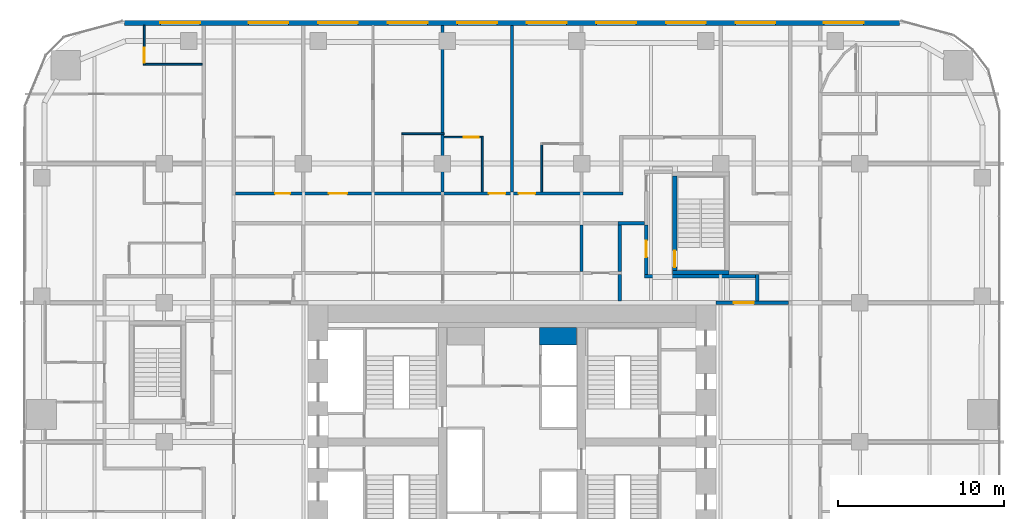
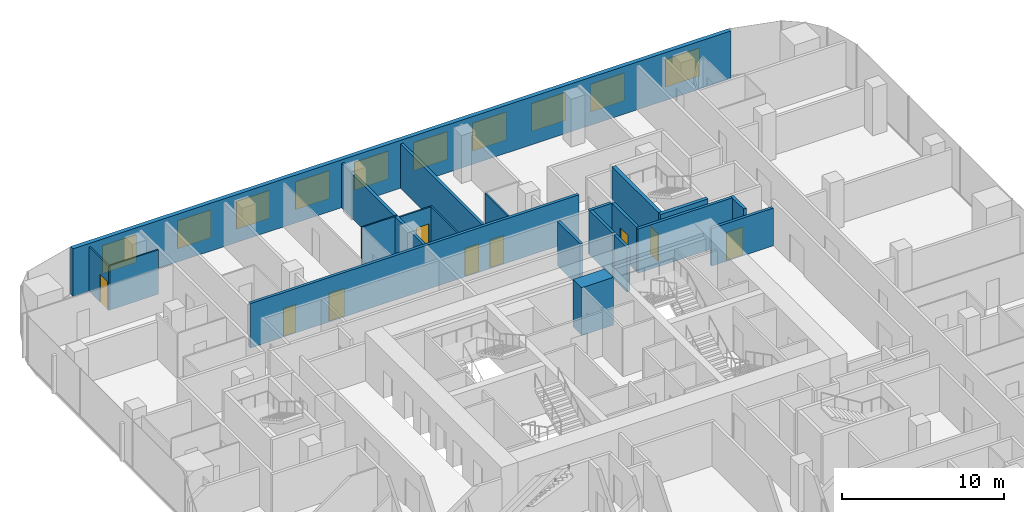
# One storey, part 23 of 27: 21 walls, 10 windows, 9 doors, 19 openings.
"""IFC4 building model written with IfcOpenShell, lengths in metres."""

from ifc_helpers import new_model, si_unit, direction, frame, frame_2d, origin, place, context, subcontext, project, spatial, rectangle, extrude, material, layer, layer_set, type_object, element, fill, save


model = new_model("IFC4")

# Units and contexts
model_context = context("Model", 3, precision=1e-05, world=origin(), true_north=direction((0.0, 1.0)))
body_context = subcontext(model_context, "Body", "Model", "MODEL_VIEW")
ifc_project = project(units=[si_unit("LENGTHUNIT", "METRE"), si_unit("AREAUNIT", "SQUARE_METRE"), si_unit("VOLUMEUNIT", "CUBIC_METRE"), si_unit("PLANEANGLEUNIT", "RADIAN"), si_unit("MASSUNIT", "GRAM", prefix="KILO")], contexts=[model_context])

# Site, building, storey
site_placement = place(None, origin())
site = spatial("IfcSite", under=ifc_project, at=site_placement, CompositionType="ELEMENT")
building_placement = place(site_placement, origin())
building = spatial("IfcBuilding", under=site, at=building_placement, Name="Marenta Gate Hotel Tower", CompositionType="ELEMENT")
storey_placement = place(building_placement, frame((0.0, 0.0, 36.5)))
storey = spatial("IfcBuildingStorey", under=building, at=storey_placement, Name="L06", CompositionType="ELEMENT", Elevation=36.5)

# Wall, openings, windows
ifc_material_1 = material(Name="Concrete C40 board-marked", Category="concrete")
ifc_layer_1 = layer(ifc_material_1, 0.300048828125)
ifc_layer_set_1 = layer_set([ifc_layer_1], Name="Concrete C40 board-marked")
wall_type_1 = type_object("IfcWallType", Name="Board-marked concrete wall 300 mm", PredefinedType="NOTDEFINED", material=ifc_layer_set_1)
wall_1_placement = place(storey_placement, frame((23.406005859375, 33.68994140625, 0.0), z_axis=(0.0, 0.0, 1.0), x_axis=(-1.0, 0.0, 0.0)))
wall_1 = element("IfcWall", 1, at=wall_1_placement, inside=storey, type_object=wall_type_1, Name="L06-CLD-N00", PredefinedType="NOTDEFINED", context=body_context, shape_type="SweptSolid", body=[
    extrude(rectangle(XDim=46.81201171875, YDim=0.300048828125, at=frame_2d((23.406005859375, 0.0))), origin(), (0.0, 0.0, 1.0), 3.60009765625),
])
opening_1_placement = place(wall_1_placement, frame((2.185791015625, 0.0, 0.89990234375)))
opening_1 = element("IfcOpeningElement", 2, at=opening_1_placement, cuts=wall_1, Name="Opening W1", PredefinedType="OPENING", context=body_context, shape_type="SweptSolid", body=[
    extrude(rectangle(XDim=2.39990234375, YDim=2.10009765625, at=frame_2d((1.199951171875, 1.050048828125))), frame((0.0, 0.14990234375, 0.0), z_axis=(0.0, -1.0, 0.0), x_axis=(1.0, 0.0, 0.0)), (0.0, 0.0, 1.0), 0.300048828125),
])
opening_2_placement = place(wall_1_placement, frame((7.505859375, 0.0, 0.89990234375)))
opening_2 = element("IfcOpeningElement", 3, at=opening_2_placement, cuts=wall_1, Name="Opening W1", PredefinedType="OPENING", context=body_context, shape_type="SweptSolid", body=[
    extrude(rectangle(XDim=2.39990234375, YDim=2.10009765625, at=frame_2d((1.199951171875, 1.050048828125))), frame((0.0, 0.14990234375, 0.0), z_axis=(0.0, -1.0, 0.0), x_axis=(1.0, 0.0, 0.0)), (0.0, 0.0, 1.0), 0.300048828125),
])
opening_3_placement = place(wall_1_placement, frame((11.705810546875, 0.0, 0.89990234375)))
opening_3 = element("IfcOpeningElement", 4, at=opening_3_placement, cuts=wall_1, Name="Opening W1", PredefinedType="OPENING", context=body_context, shape_type="SweptSolid", body=[
    extrude(rectangle(XDim=2.39990234375, YDim=2.10009765625, at=frame_2d((1.199951171875, 1.050048828125))), frame((0.0, 0.14990234375, 0.0), z_axis=(0.0, -1.0, 0.0), x_axis=(1.0, 0.0, 0.0)), (0.0, 0.0, 1.0), 0.300048828125),
])
opening_4_placement = place(wall_1_placement, frame((15.906005859375, 0.0, 0.89990234375)))
opening_4 = element("IfcOpeningElement", 5, at=opening_4_placement, cuts=wall_1, Name="Opening W1", PredefinedType="OPENING", context=body_context, shape_type="SweptSolid", body=[
    extrude(rectangle(XDim=2.39990234375, YDim=2.10009765625, at=frame_2d((1.199951171875, 1.050048828125))), frame((0.0, 0.14990234375, 0.0), z_axis=(0.0, -1.0, 0.0), x_axis=(1.0, 0.0, 0.0)), (0.0, 0.0, 1.0), 0.300048828125),
])
opening_5_placement = place(wall_1_placement, frame((20.10595703125, 0.0, 0.89990234375)))
opening_5 = element("IfcOpeningElement", 6, at=opening_5_placement, cuts=wall_1, Name="Opening W1", PredefinedType="OPENING", context=body_context, shape_type="SweptSolid", body=[
    extrude(rectangle(XDim=2.39990234375, YDim=2.10009765625, at=frame_2d((1.199951171875, 1.050048828125))), frame((0.0, 0.14990234375, 0.0), z_axis=(0.0, -1.0, 0.0), x_axis=(1.0, 0.0, 0.0)), (0.0, 0.0, 1.0), 0.300048828125),
])
opening_6_placement = place(wall_1_placement, frame((24.305908203125, 0.0, 0.89990234375)))
opening_6 = element("IfcOpeningElement", 7, at=opening_6_placement, cuts=wall_1, Name="Opening W1", PredefinedType="OPENING", context=body_context, shape_type="SweptSolid", body=[
    extrude(rectangle(XDim=2.39990234375, YDim=2.10009765625, at=frame_2d((1.199951171875, 1.050048828125))), frame((0.0, 0.14990234375, 0.0), z_axis=(0.0, -1.0, 0.0), x_axis=(1.0, 0.0, 0.0)), (0.0, 0.0, 1.0), 0.300048828125),
])
opening_7_placement = place(wall_1_placement, frame((28.505859375, 0.0, 0.89990234375)))
opening_7 = element("IfcOpeningElement", 8, at=opening_7_placement, cuts=wall_1, Name="Opening W1", PredefinedType="OPENING", context=body_context, shape_type="SweptSolid", body=[
    extrude(rectangle(XDim=2.39990234375, YDim=2.10009765625, at=frame_2d((1.199951171875, 1.050048828125))), frame((0.0, 0.14990234375, 0.0), z_axis=(0.0, -1.0, 0.0), x_axis=(1.0, 0.0, 0.0)), (0.0, 0.0, 1.0), 0.300048828125),
])
opening_8_placement = place(wall_1_placement, frame((32.705810546875, 0.0, 0.89990234375)))
opening_8 = element("IfcOpeningElement", 9, at=opening_8_placement, cuts=wall_1, Name="Opening W1", PredefinedType="OPENING", context=body_context, shape_type="SweptSolid", body=[
    extrude(rectangle(XDim=2.39990234375, YDim=2.10009765625, at=frame_2d((1.199951171875, 1.050048828125))), frame((0.0, 0.14990234375, 0.0), z_axis=(0.0, -1.0, 0.0), x_axis=(1.0, 0.0, 0.0)), (0.0, 0.0, 1.0), 0.300048828125),
])
opening_9_placement = place(wall_1_placement, frame((36.906005859375, 0.0, 0.89990234375)))
opening_9 = element("IfcOpeningElement", 10, at=opening_9_placement, cuts=wall_1, Name="Opening W1", PredefinedType="OPENING", context=body_context, shape_type="SweptSolid", body=[
    extrude(rectangle(XDim=2.39990234375, YDim=2.10009765625, at=frame_2d((1.199951171875, 1.050048828125))), frame((0.0, 0.14990234375, 0.0), z_axis=(0.0, -1.0, 0.0), x_axis=(1.0, 0.0, 0.0)), (0.0, 0.0, 1.0), 0.300048828125),
])
opening_10_placement = place(wall_1_placement, frame((42.225830078125, 0.0, 0.89990234375)))
opening_10 = element("IfcOpeningElement", 11, at=opening_10_placement, cuts=wall_1, Name="Opening W1", PredefinedType="OPENING", context=body_context, shape_type="SweptSolid", body=[
    extrude(rectangle(XDim=2.39990234375, YDim=2.10009765625, at=frame_2d((1.199951171875, 1.050048828125))), frame((0.0, 0.14990234375, 0.0), z_axis=(0.0, -1.0, 0.0), x_axis=(1.0, 0.0, 0.0)), (0.0, 0.0, 1.0), 0.300048828125),
])
ifc_material_2 = material(Name="Tinted insulated glass in bronze anodised frame", Category="glass")
window_type = type_object("IfcWindowType", Name="Window W1 2400x2100 bronze frame", PartitioningType="SINGLE_PANEL", PredefinedType="WINDOW", material=ifc_material_2)
window_1_placement = place(opening_1_placement, origin())
window_1 = element("IfcWindow", 12, at=window_1_placement, inside=storey, type_object=window_type, Name="Window W1", OverallHeight=2.10009765625, OverallWidth=2.39990234375, PartitioningType="SINGLE_PANEL", PredefinedType="WINDOW", context=body_context, shape_type="SweptSolid", body=[
    extrude(rectangle(XDim=2.39990234375, YDim=2.10009765625, at=frame_2d((1.199951171875, 1.050048828125))), frame((0.0, 0.030029296875, 0.0), z_axis=(0.0, -1.0, 0.0), x_axis=(1.0, 0.0, 0.0)), (0.0, 0.0, 1.0), 0.06005859375),
])
fill(opening_1, window_1)
window_2_placement = place(opening_2_placement, origin())
window_2 = element("IfcWindow", 13, at=window_2_placement, inside=storey, type_object=window_type, Name="Window W1", OverallHeight=2.10009765625, OverallWidth=2.39990234375, PartitioningType="SINGLE_PANEL", PredefinedType="WINDOW", context=body_context, shape_type="SweptSolid", body=[
    extrude(rectangle(XDim=2.39990234375, YDim=2.10009765625, at=frame_2d((1.199951171875, 1.050048828125))), frame((0.0, 0.030029296875, 0.0), z_axis=(0.0, -1.0, 0.0), x_axis=(1.0, 0.0, 0.0)), (0.0, 0.0, 1.0), 0.06005859375),
])
fill(opening_2, window_2)
window_3_placement = place(opening_3_placement, origin())
window_3 = element("IfcWindow", 14, at=window_3_placement, inside=storey, type_object=window_type, Name="Window W1", OverallHeight=2.10009765625, OverallWidth=2.39990234375, PartitioningType="SINGLE_PANEL", PredefinedType="WINDOW", context=body_context, shape_type="SweptSolid", body=[
    extrude(rectangle(XDim=2.39990234375, YDim=2.10009765625, at=frame_2d((1.199951171875, 1.050048828125))), frame((0.0, 0.030029296875, 0.0), z_axis=(0.0, -1.0, 0.0), x_axis=(1.0, 0.0, 0.0)), (0.0, 0.0, 1.0), 0.06005859375),
])
fill(opening_3, window_3)
window_4_placement = place(opening_4_placement, origin())
window_4 = element("IfcWindow", 15, at=window_4_placement, inside=storey, type_object=window_type, Name="Window W1", OverallHeight=2.10009765625, OverallWidth=2.39990234375, PartitioningType="SINGLE_PANEL", PredefinedType="WINDOW", context=body_context, shape_type="SweptSolid", body=[
    extrude(rectangle(XDim=2.39990234375, YDim=2.10009765625, at=frame_2d((1.199951171875, 1.050048828125))), frame((0.0, 0.030029296875, 0.0), z_axis=(0.0, -1.0, 0.0), x_axis=(1.0, 0.0, 0.0)), (0.0, 0.0, 1.0), 0.06005859375),
])
fill(opening_4, window_4)
window_5_placement = place(opening_5_placement, origin())
window_5 = element("IfcWindow", 16, at=window_5_placement, inside=storey, type_object=window_type, Name="Window W1", OverallHeight=2.10009765625, OverallWidth=2.39990234375, PartitioningType="SINGLE_PANEL", PredefinedType="WINDOW", context=body_context, shape_type="SweptSolid", body=[
    extrude(rectangle(XDim=2.39990234375, YDim=2.10009765625, at=frame_2d((1.199951171875, 1.050048828125))), frame((0.0, 0.030029296875, 0.0), z_axis=(0.0, -1.0, 0.0), x_axis=(1.0, 0.0, 0.0)), (0.0, 0.0, 1.0), 0.06005859375),
])
fill(opening_5, window_5)
window_6_placement = place(opening_6_placement, origin())
window_6 = element("IfcWindow", 17, at=window_6_placement, inside=storey, type_object=window_type, Name="Window W1", OverallHeight=2.10009765625, OverallWidth=2.39990234375, PartitioningType="SINGLE_PANEL", PredefinedType="WINDOW", context=body_context, shape_type="SweptSolid", body=[
    extrude(rectangle(XDim=2.39990234375, YDim=2.10009765625, at=frame_2d((1.199951171875, 1.050048828125))), frame((0.0, 0.030029296875, 0.0), z_axis=(0.0, -1.0, 0.0), x_axis=(1.0, 0.0, 0.0)), (0.0, 0.0, 1.0), 0.06005859375),
])
fill(opening_6, window_6)
window_7_placement = place(opening_7_placement, origin())
window_7 = element("IfcWindow", 18, at=window_7_placement, inside=storey, type_object=window_type, Name="Window W1", OverallHeight=2.10009765625, OverallWidth=2.39990234375, PartitioningType="SINGLE_PANEL", PredefinedType="WINDOW", context=body_context, shape_type="SweptSolid", body=[
    extrude(rectangle(XDim=2.39990234375, YDim=2.10009765625, at=frame_2d((1.199951171875, 1.050048828125))), frame((0.0, 0.030029296875, 0.0), z_axis=(0.0, -1.0, 0.0), x_axis=(1.0, 0.0, 0.0)), (0.0, 0.0, 1.0), 0.06005859375),
])
fill(opening_7, window_7)
window_8_placement = place(opening_8_placement, origin())
window_8 = element("IfcWindow", 19, at=window_8_placement, inside=storey, type_object=window_type, Name="Window W1", OverallHeight=2.10009765625, OverallWidth=2.39990234375, PartitioningType="SINGLE_PANEL", PredefinedType="WINDOW", context=body_context, shape_type="SweptSolid", body=[
    extrude(rectangle(XDim=2.39990234375, YDim=2.10009765625, at=frame_2d((1.199951171875, 1.050048828125))), frame((0.0, 0.030029296875, 0.0), z_axis=(0.0, -1.0, 0.0), x_axis=(1.0, 0.0, 0.0)), (0.0, 0.0, 1.0), 0.06005859375),
])
fill(opening_8, window_8)
window_9_placement = place(opening_9_placement, origin())
window_9 = element("IfcWindow", 20, at=window_9_placement, inside=storey, type_object=window_type, Name="Window W1", OverallHeight=2.10009765625, OverallWidth=2.39990234375, PartitioningType="SINGLE_PANEL", PredefinedType="WINDOW", context=body_context, shape_type="SweptSolid", body=[
    extrude(rectangle(XDim=2.39990234375, YDim=2.10009765625, at=frame_2d((1.199951171875, 1.050048828125))), frame((0.0, 0.030029296875, 0.0), z_axis=(0.0, -1.0, 0.0), x_axis=(1.0, 0.0, 0.0)), (0.0, 0.0, 1.0), 0.06005859375),
])
fill(opening_9, window_9)
window_10_placement = place(opening_10_placement, origin())
window_10 = element("IfcWindow", 21, at=window_10_placement, inside=storey, type_object=window_type, Name="Window W1", OverallHeight=2.10009765625, OverallWidth=2.39990234375, PartitioningType="SINGLE_PANEL", PredefinedType="WINDOW", context=body_context, shape_type="SweptSolid", body=[
    extrude(rectangle(XDim=2.39990234375, YDim=2.10009765625, at=frame_2d((1.199951171875, 1.050048828125))), frame((0.0, 0.030029296875, 0.0), z_axis=(0.0, -1.0, 0.0), x_axis=(1.0, 0.0, 0.0)), (0.0, 0.0, 1.0), 0.06005859375),
])
fill(opening_10, window_10)

# Wall
ifc_material_3 = material(Name="Concrete blockwork", Category="masonry")
ifc_layer_2 = layer(ifc_material_3, 0.199951171875)
ifc_layer_set_2 = layer_set([ifc_layer_2], Name="Concrete blockwork")
wall_type_2 = type_object("IfcWallType", Name="Compartment wall 200 REI 180", PredefinedType="PARTITIONING", material=ifc_layer_set_2)
wall_2_placement = place(storey_placement, frame((-4.199951171875, 23.5, 0.0), z_axis=(0.0, 0.0, 1.0), x_axis=(0.0, 1.0, 0.0)))
element("IfcWall", 22, at=wall_2_placement, inside=storey, type_object=wall_type_2, Name="L06-PTN-W088", PredefinedType="PARTITIONING", context=body_context, shape_type="SweptSolid", body=[
    extrude(rectangle(XDim=10.0400390625, YDim=0.199951171875, at=frame_2d((5.02001953125, 0.0))), origin(), (0.0, 0.0, 1.0), 3.340087890625),
])

# Wall, opening, door
ifc_material_4 = material(Name="Concrete blockwork", Category="masonry")
ifc_layer_3 = layer(ifc_material_4, 0.199951171875)
ifc_layer_set_3 = layer_set([ifc_layer_3], Name="Concrete blockwork")
wall_type_3 = type_object("IfcWallType", Name="Core boundary wall 200 REI 180", PredefinedType="PARTITIONING", material=ifc_layer_set_3)
wall_3_placement = place(storey_placement, frame((12.300048828125, 16.800048828125, 0.0), z_axis=(0.0, 0.0, 1.0), x_axis=(1.0, 0.0, 0.0)))
wall_3 = element("IfcWall", 23, at=wall_3_placement, inside=storey, type_object=wall_type_3, Name="L06-CP-EW-EN", PredefinedType="PARTITIONING", context=body_context, shape_type="SweptSolid", body=[
    extrude(rectangle(XDim=4.39990234375, YDim=0.199951171875, at=frame_2d((2.199951171875, 0.0))), origin(), (0.0, 0.0, 1.0), 2.840087890625),
])
opening_11_placement = place(wall_3_placement, frame((1.10009765625, 0.0, 0.0)))
opening_11 = element("IfcOpeningElement", 24, at=opening_11_placement, cuts=wall_3, Name="Opening RS-Z1-4", PredefinedType="OPENING", context=body_context, shape_type="SweptSolid", body=[
    extrude(rectangle(XDim=1.199951171875, YDim=2.10009765625, at=frame_2d((0.60009765625, 1.050048828125))), frame((0.0, 0.10009765625, 0.0), z_axis=(0.0, -1.0, 0.0), x_axis=(1.0, 0.0, 0.0)), (0.0, 0.0, 1.0), 0.199951171875),
])
ifc_material_5 = material(Name="Steel", Category="steel")
door_type_1 = type_object("IfcDoorType", Name="Core lobby door 1200x2100 EI 60", OperationType="SINGLE_SWING_LEFT", PredefinedType="DOOR", material=ifc_material_5)
door_1_placement = place(opening_11_placement, origin())
door_1 = element("IfcDoor", 25, at=door_1_placement, inside=storey, type_object=door_type_1, Name="RS-Z1-4", OperationType="SINGLE_SWING_LEFT", OverallHeight=2.10009765625, OverallWidth=1.199951171875, PredefinedType="DOOR", context=body_context, shape_type="SweptSolid", body=[
    extrude(rectangle(XDim=1.199951171875, YDim=2.10009765625, at=frame_2d((0.60009765625, 1.050048828125))), frame((0.0, 0.02490234375, 0.0), z_axis=(0.0, -1.0, 0.0), x_axis=(1.0, 0.0, 0.0)), (0.0, 0.0, 1.0), 0.050048828125),
])
fill(opening_11, door_1)

# Walls
ifc_material_6 = material(Name="Concrete C40", Category="concrete")
ifc_layer_4 = layer(ifc_material_6, 1.050048828125)
ifc_layer_set_4 = layer_set([ifc_layer_4], Name="Concrete C40")
wall_type_4 = type_object("IfcWallType", Name="Core shaft wall 1050 REI 180", PredefinedType="SHEAR", material=ifc_layer_set_4)
wall_4_placement = place(storey_placement, frame((1.64990234375, 14.77490234375, 0.0), z_axis=(0.0, 0.0, 1.0), x_axis=(1.0, 0.0, 0.0)))
element("IfcWall", 26, at=wall_4_placement, inside=storey, type_object=wall_type_4, Name="L06-SHF-CE-N-top", PredefinedType="SHEAR", context=body_context, shape_type="SweptSolid", body=[
    extrude(rectangle(XDim=2.25, YDim=1.050048828125, at=frame_2d((1.125, 0.0))), origin(), (0.0, 0.0, 1.0), 3.60009765625),
])
ifc_material_7 = material(Name="Concrete C40", Category="concrete")
ifc_layer_5 = layer(ifc_material_7, 0.25)
ifc_layer_set_5 = layer_set([ifc_layer_5], Name="Concrete C40")
wall_type_5 = type_object("IfcWallType", Name="Remote stair enclosure wall 250 REI 180", PredefinedType="SHEAR", material=ifc_layer_set_5)
wall_5_placement = place(storey_placement, frame((9.699951171875, 18.625, -0.14990234375), z_axis=(0.0, 0.0, 1.0), x_axis=(1.0, 0.0, 0.0)))
element("IfcWall", 27, at=wall_5_placement, inside=storey, type_object=wall_type_5, Name="L06-RS-Z1-4-W1", PredefinedType="SHEAR", context=body_context, shape_type="SweptSolid", body=[
    extrude(rectangle(XDim=3.400146484375, YDim=0.25, at=frame_2d((1.7001953125, 0.0))), origin(), (0.0, 0.0, 1.0), 3.849853515625),
])

# Wall, opening, door
wall_6_placement = place(storey_placement, frame((9.824951171875, 18.75, -0.14990234375), z_axis=(0.0, 0.0, 1.0), x_axis=(0.0, 1.0, 0.0)))
wall_6 = element("IfcWall", 28, at=wall_6_placement, inside=storey, type_object=wall_type_5, Name="L06-RS-Z1-4-W3", PredefinedType="SHEAR", context=body_context, shape_type="SweptSolid", body=[
    extrude(rectangle(XDim=5.699951171875, YDim=0.25, at=frame_2d((2.85009765625, 0.0))), origin(), (0.0, 0.0, 1.0), 3.849853515625),
])
opening_12_placement = place(wall_6_placement, frame((0.199951171875, 0.0, 0.0)))
opening_12 = element("IfcOpeningElement", 29, at=opening_12_placement, cuts=wall_6, Name="Opening VD", PredefinedType="OPENING", context=body_context, shape_type="SweptSolid", body=[
    extrude(rectangle(XDim=1.0, YDim=2.10009765625, at=frame_2d((0.5, 1.050048828125))), frame((0.0, 0.125, 0.0), z_axis=(0.0, -1.0, 0.0), x_axis=(1.0, 0.0, 0.0)), (0.0, 0.0, 1.0), 0.25),
])
ifc_material_8 = material(Name="Steel", Category="steel")
door_type_2 = type_object("IfcDoorType", Name="Stair vestibule door 1000x2100 FD60", OperationType="SINGLE_SWING_LEFT", PredefinedType="DOOR", material=ifc_material_8)
door_2_placement = place(opening_12_placement, origin())
door_2 = element("IfcDoor", 30, at=door_2_placement, inside=storey, type_object=door_type_2, Name="VD", OperationType="SINGLE_SWING_LEFT", OverallHeight=2.10009765625, OverallWidth=1.0, PredefinedType="DOOR", context=body_context, shape_type="SweptSolid", body=[
    extrude(rectangle(XDim=1.0, YDim=2.10009765625, at=frame_2d((0.5, 1.050048828125))), frame((0.0, 0.02490234375, 0.0), z_axis=(0.0, -1.0, 0.0), x_axis=(1.0, 0.0, 0.0)), (0.0, 0.0, 1.0), 0.050048828125),
])
fill(opening_12, door_2)

# Wall, openings, doors
ifc_material_9 = material(Name="Concrete blockwork", Category="masonry")
ifc_layer_6 = layer(ifc_material_9, 0.199951171875)
ifc_layer_set_6 = layer_set([ifc_layer_6], Name="Concrete blockwork")
wall_type_6 = type_object("IfcWallType", Name="Room corridor wall 200 EI 120", PredefinedType="PARTITIONING", material=ifc_layer_set_6)
wall_7_placement = place(storey_placement, frame((-16.699951171875, 23.39990234375, 0.0), z_axis=(0.0, 0.0, 1.0), x_axis=(1.0, 0.0, 0.0)))
wall_7 = element("IfcWall", 31, at=wall_7_placement, inside=storey, type_object=wall_type_6, Name="L06-PTN-W145", PredefinedType="PARTITIONING", context=body_context, shape_type="SweptSolid", body=[
    extrude(rectangle(XDim=23.39990234375, YDim=0.199951171875, at=frame_2d((11.699951171875, 0.0))), origin(), (0.0, 0.0, 1.0), 3.340087890625),
])
opening_13_placement = place(wall_7_placement, frame((2.39990234375, 0.0, 0.0)))
opening_13 = element("IfcOpeningElement", 32, at=opening_13_placement, cuts=wall_7, Name="Opening G01-25", PredefinedType="OPENING", context=body_context, shape_type="SweptSolid", body=[
    extrude(rectangle(XDim=0.89990234375, YDim=2.10009765625, at=frame_2d((0.449951171875, 1.050048828125))), frame((0.0, 0.10009765625, 0.0), z_axis=(0.0, -1.0, 0.0), x_axis=(1.0, 0.0, 0.0)), (0.0, 0.0, 1.0), 0.199951171875),
])
opening_14_placement = place(wall_7_placement, frame((5.64990234375, 0.0, 0.0)))
opening_14 = element("IfcOpeningElement", 33, at=opening_14_placement, cuts=wall_7, Name="Opening G01-27", PredefinedType="OPENING", context=body_context, shape_type="SweptSolid", body=[
    extrude(rectangle(XDim=1.10009765625, YDim=2.10009765625, at=frame_2d((0.550048828125, 1.050048828125))), frame((0.0, 0.10009765625, 0.0), z_axis=(0.0, -1.0, 0.0), x_axis=(1.0, 0.0, 0.0)), (0.0, 0.0, 1.0), 0.199951171875),
])
opening_15_placement = place(wall_7_placement, frame((15.300048828125, 0.0, 0.0)))
opening_15 = element("IfcOpeningElement", 34, at=opening_15_placement, cuts=wall_7, Name="Opening G01-30", PredefinedType="OPENING", context=body_context, shape_type="SweptSolid", body=[
    extrude(rectangle(XDim=1.0, YDim=2.10009765625, at=frame_2d((0.5, 1.050048828125))), frame((0.0, 0.10009765625, 0.0), z_axis=(0.0, -1.0, 0.0), x_axis=(1.0, 0.0, 0.0)), (0.0, 0.0, 1.0), 0.199951171875),
])
opening_16_placement = place(wall_7_placement, frame((17.10009765625, 0.0, 0.0)))
opening_16 = element("IfcOpeningElement", 35, at=opening_16_placement, cuts=wall_7, Name="Opening G01-32", PredefinedType="OPENING", context=body_context, shape_type="SweptSolid", body=[
    extrude(rectangle(XDim=1.0, YDim=2.10009765625, at=frame_2d((0.5, 1.050048828125))), frame((0.0, 0.10009765625, 0.0), z_axis=(0.0, -1.0, 0.0), x_axis=(1.0, 0.0, 0.0)), (0.0, 0.0, 1.0), 0.199951171875),
])
ifc_material_10 = material(Name="Timber door leaf", Category="wood")
door_type_3 = type_object("IfcDoorType", Name="Guest room door 1000x2100 EI 60", OperationType="NOTDEFINED", PredefinedType="DOOR", material=ifc_material_10)
door_3_placement = place(opening_15_placement, origin())
door_3 = element("IfcDoor", 36, at=door_3_placement, inside=storey, type_object=door_type_3, Name="L06-PD-D030", OperationType="SINGLE_SWING_LEFT", OverallHeight=2.10009765625, OverallWidth=1.0, PredefinedType="DOOR", context=body_context, shape_type="SweptSolid", body=[
    extrude(rectangle(XDim=1.0, YDim=2.10009765625, at=frame_2d((0.5, 1.050048828125))), frame((0.0, 0.02490234375, 0.0), z_axis=(0.0, -1.0, 0.0), x_axis=(1.0, 0.0, 0.0)), (0.0, 0.0, 1.0), 0.050048828125),
])
fill(opening_15, door_3)
door_4_placement = place(opening_16_placement, origin())
door_4 = element("IfcDoor", 37, at=door_4_placement, inside=storey, type_object=door_type_3, Name="L06-PD-D032", OperationType="SINGLE_SWING_LEFT", OverallHeight=2.10009765625, OverallWidth=1.0, PredefinedType="DOOR", context=body_context, shape_type="SweptSolid", body=[
    extrude(rectangle(XDim=1.0, YDim=2.10009765625, at=frame_2d((0.5, 1.050048828125))), frame((0.0, 0.02490234375, 0.0), z_axis=(0.0, -1.0, 0.0), x_axis=(1.0, 0.0, 0.0)), (0.0, 0.0, 1.0), 0.050048828125),
])
fill(opening_16, door_4)
ifc_material_11 = material(Name="Timber door leaf", Category="wood")
door_type_4 = type_object("IfcDoorType", Name="Guest room door 1100x2100 EI 60", OperationType="NOTDEFINED", PredefinedType="DOOR", material=ifc_material_11)
door_5_placement = place(opening_14_placement, origin())
door_5 = element("IfcDoor", 38, at=door_5_placement, inside=storey, type_object=door_type_4, Name="L06-PD-D027", OperationType="SINGLE_SWING_RIGHT", OverallHeight=2.10009765625, OverallWidth=1.10009765625, PredefinedType="DOOR", context=body_context, shape_type="SweptSolid", body=[
    extrude(rectangle(XDim=1.10009765625, YDim=2.10009765625, at=frame_2d((0.550048828125, 1.050048828125))), frame((0.0, 0.02490234375, 0.0), z_axis=(0.0, -1.0, 0.0), x_axis=(1.0, 0.0, 0.0)), (0.0, 0.0, 1.0), 0.050048828125),
])
fill(opening_14, door_5)
ifc_material_12 = material(Name="Timber door leaf", Category="wood")
door_type_5 = type_object("IfcDoorType", Name="Guest room door 900x2100 EI 60", OperationType="NOTDEFINED", PredefinedType="DOOR", material=ifc_material_12)
door_6_placement = place(opening_13_placement, origin())
door_6 = element("IfcDoor", 39, at=door_6_placement, inside=storey, type_object=door_type_5, Name="L06-PD-D025", OperationType="SINGLE_SWING_LEFT", OverallHeight=2.10009765625, OverallWidth=0.89990234375, PredefinedType="DOOR", context=body_context, shape_type="SweptSolid", body=[
    extrude(rectangle(XDim=0.89990234375, YDim=2.10009765625, at=frame_2d((0.449951171875, 1.050048828125))), frame((0.0, 0.02490234375, 0.0), z_axis=(0.0, -1.0, 0.0), x_axis=(1.0, 0.0, 0.0)), (0.0, 0.0, 1.0), 0.050048828125),
])
fill(opening_13, door_6)

# Walls
ifc_material_13 = material(Name="Concrete blockwork", Category="masonry")
ifc_layer_7 = layer(ifc_material_13, 0.199951171875)
ifc_layer_set_7 = layer_set([ifc_layer_7], Name="Concrete blockwork")
wall_type_7 = type_object("IfcWallType", Name="Room corridor wall 200 REI 180", PredefinedType="PARTITIONING", material=ifc_layer_set_7)
for number, where, z_axis, x_axis, name in (
    (40, (14.800048828125, 16.89990234375, 0.0), (0.0, 0.0, 1.0), (0.0, 1.0, 0.0), "L06-PTN-W023"),
    (41, (6.5, 16.89990234375, 0.0), (0.0, 0.0, 1.0), (0.0, 1.0, 0.0), "L06-PTN-W050"),
    (42, (6.39990234375, 21.60009765625, 0.0), (0.0, 0.0, 1.0), (1.0, 0.0, 0.0), "L06-PTN-W138"),
):
    element("IfcWall", number, at=place(storey_placement, frame(where, z_axis=z_axis, x_axis=x_axis)), inside=storey, type_object=wall_type_7, Name=name, PredefinedType="PARTITIONING", context=body_context, shape_type="SweptSolid", body=[
        extrude(rectangle(XDim=1.60009765625, YDim=0.199951171875, at=frame_2d((0.800048828125, 0.0))), origin(), (0.0, 0.0, 1.0), 3.340087890625),
    ])
ifc_material_14 = material(Name="Gypsum board on steel stud", Category="steel")
ifc_layer_8 = layer(ifc_material_14, 0.10009765625)
ifc_layer_set_8 = layer_set([ifc_layer_8], Name="Gypsum board on steel stud")
wall_type_8 = type_object("IfcWallType", Name="Room partition 100", PredefinedType="PARTITIONING", material=ifc_layer_set_8)
wall_8_placement = place(storey_placement, frame((1.800048828125, 23.5, 0.0), z_axis=(0.0, 0.0, 1.0), x_axis=(0.0, 1.0, 0.0)))
element("IfcWall", 43, at=wall_8_placement, inside=storey, type_object=wall_type_8, Name="L06-PTN-W064", PredefinedType="PARTITIONING", context=body_context, shape_type="SweptSolid", body=[
    extrude(rectangle(XDim=2.85009765625, YDim=0.10009765625, at=frame_2d((1.425048828125, 0.0))), origin(), (0.0, 0.0, 1.0), 3.340087890625),
])
wall_9_placement = place(storey_placement, frame((-1.800048828125, 23.5, 0.0), z_axis=(0.0, 0.0, 1.0), x_axis=(0.0, 1.0, 0.0)))
element("IfcWall", 44, at=wall_9_placement, inside=storey, type_object=wall_type_8, Name="L06-PTN-W079", PredefinedType="PARTITIONING", context=body_context, shape_type="SweptSolid", body=[
    extrude(rectangle(XDim=3.35009765625, YDim=0.10009765625, at=frame_2d((1.675048828125, 0.0))), origin(), (0.0, 0.0, 1.0), 3.340087890625),
])

# Wall, opening, door
wall_10_placement = place(storey_placement, frame((-22.199951171875, 31.14990234375, 0.0), z_axis=(0.0, 0.0, 1.0), x_axis=(0.0, 1.0, 0.0)))
wall_10 = element("IfcWall", 45, at=wall_10_placement, inside=storey, type_object=wall_type_8, Name="L06-PTN-W142", PredefinedType="PARTITIONING", context=body_context, shape_type="SweptSolid", body=[
    extrude(rectangle(XDim=2.39013671875, YDim=0.10009765625, at=frame_2d((1.195068359375, 0.0))), origin(), (0.0, 0.0, 1.0), 3.340087890625),
])
opening_17_placement = place(wall_10_placement, frame((0.14990234375, 0.0, 0.0)))
opening_17 = element("IfcOpeningElement", 46, at=opening_17_placement, cuts=wall_10, Name="Opening G01-59", PredefinedType="OPENING", context=body_context, shape_type="SweptSolid", body=[
    extrude(rectangle(XDim=0.89990234375, YDim=2.10009765625, at=frame_2d((0.449951171875, 1.050048828125))), frame((0.0, 0.050048828125, 0.0), z_axis=(0.0, -1.0, 0.0), x_axis=(1.0, 0.0, 0.0)), (0.0, 0.0, 1.0), 0.10009765625),
])
ifc_material_15 = material(Name="Timber door leaf", Category="wood")
door_type_6 = type_object("IfcDoorType", Name="Guest bathroom door 900x2100", OperationType="NOTDEFINED", PredefinedType="DOOR", material=ifc_material_15)
door_7_placement = place(opening_17_placement, origin())
door_7 = element("IfcDoor", 47, at=door_7_placement, inside=storey, type_object=door_type_6, Name="L06-PD-D059", OperationType="SINGLE_SWING_RIGHT", OverallHeight=2.10009765625, OverallWidth=0.89990234375, PredefinedType="DOOR", context=body_context, shape_type="SweptSolid", body=[
    extrude(rectangle(XDim=0.89990234375, YDim=2.10009765625, at=frame_2d((0.449951171875, 1.050048828125))), frame((0.0, 0.02490234375, 0.0), z_axis=(0.0, -1.0, 0.0), x_axis=(1.0, 0.0, 0.0)), (0.0, 0.0, 1.0), 0.050048828125),
])
fill(opening_17, door_7)

wall_11_placement = place(storey_placement, frame((-4.10009765625, 26.800048828125, 0.0), z_axis=(0.0, 0.0, 1.0), x_axis=(1.0, 0.0, 0.0)))
wall_11 = element("IfcWall", 48, at=wall_11_placement, inside=storey, type_object=wall_type_8, Name="L06-PTN-W153", PredefinedType="PARTITIONING", context=body_context, shape_type="SweptSolid", body=[
    extrude(rectangle(XDim=2.25, YDim=0.10009765625, at=frame_2d((1.125, 0.0))), origin(), (0.0, 0.0, 1.0), 3.340087890625),
])
opening_18_placement = place(wall_11_placement, frame((1.199951171875, 0.0, 0.0)))
opening_18 = element("IfcOpeningElement", 49, at=opening_18_placement, cuts=wall_11, Name="Opening G01-31", PredefinedType="OPENING", context=body_context, shape_type="SweptSolid", body=[
    extrude(rectangle(XDim=0.89990234375, YDim=2.10009765625, at=frame_2d((0.449951171875, 1.050048828125))), frame((0.0, 0.050048828125, 0.0), z_axis=(0.0, -1.0, 0.0), x_axis=(1.0, 0.0, 0.0)), (0.0, 0.0, 1.0), 0.10009765625),
])
door_8_placement = place(opening_18_placement, origin())
door_8 = element("IfcDoor", 50, at=door_8_placement, inside=storey, type_object=door_type_6, Name="L06-PD-D031", OperationType="SINGLE_SWING_LEFT", OverallHeight=2.10009765625, OverallWidth=0.89990234375, PredefinedType="DOOR", context=body_context, shape_type="SweptSolid", body=[
    extrude(rectangle(XDim=0.89990234375, YDim=2.10009765625, at=frame_2d((0.449951171875, 1.050048828125))), frame((0.0, 0.02490234375, 0.0), z_axis=(0.0, -1.0, 0.0), x_axis=(1.0, 0.0, 0.0)), (0.0, 0.0, 1.0), 0.050048828125),
])
fill(opening_18, door_8)

# Walls
wall_12_placement = place(storey_placement, frame((-6.64990234375, 27.0, 0.0), z_axis=(0.0, 0.0, 1.0), x_axis=(1.0, 0.0, 0.0)))
element("IfcWall", 51, at=wall_12_placement, inside=storey, type_object=wall_type_8, Name="L06-PTN-W155", PredefinedType="PARTITIONING", context=body_context, shape_type="SweptSolid", body=[
    extrude(rectangle(XDim=2.5498046875, YDim=0.10009765625, at=frame_2d((1.27490234375, 0.0))), origin(), (0.0, 0.0, 1.0), 3.340087890625),
])
wall_13_placement = place(storey_placement, frame((-22.14990234375, 31.199951171875, 0.0), z_axis=(0.0, 0.0, 1.0), x_axis=(1.0, 0.0, 0.0)))
element("IfcWall", 52, at=wall_13_placement, inside=storey, type_object=wall_type_8, Name="L06-PTN-W161", PredefinedType="PARTITIONING", context=body_context, shape_type="SweptSolid", body=[
    extrude(rectangle(XDim=3.449951171875, YDim=0.10009765625, at=frame_2d((1.72509765625, 0.0))), origin(), (0.0, 0.0, 1.0), 3.340087890625),
])
ifc_material_16 = material(Name="Gypsum board on steel stud", Category="steel")
ifc_layer_9 = layer(ifc_material_16, 0.199951171875)
ifc_layer_set_9 = layer_set([ifc_layer_9], Name="Gypsum board on steel stud")
wall_type_9 = type_object("IfcWallType", Name="Room party wall 200 EI 60", PredefinedType="PARTITIONING", material=ifc_layer_set_9)
wall_14_placement = place(storey_placement, frame((4.199951171875, 18.699951171875, 0.0), z_axis=(0.0, 0.0, 1.0), x_axis=(0.0, 1.0, 0.0)))
element("IfcWall", 53, at=wall_14_placement, inside=storey, type_object=wall_type_9, Name="L06-PTN-W056", PredefinedType="PARTITIONING", context=body_context, shape_type="SweptSolid", body=[
    extrude(rectangle(XDim=2.800048828125, YDim=0.199951171875, at=frame_2d((1.39990234375, 0.0))), origin(), (0.0, 0.0, 1.0), 3.340087890625),
])
wall_15_placement = place(storey_placement, frame((0.0, 23.5, 0.0), z_axis=(0.0, 0.0, 1.0), x_axis=(0.0, 1.0, 0.0)))
element("IfcWall", 54, at=wall_15_placement, inside=storey, type_object=wall_type_9, Name="L06-PTN-W075", PredefinedType="PARTITIONING", context=body_context, shape_type="SweptSolid", body=[
    extrude(rectangle(XDim=10.0400390625, YDim=0.199951171875, at=frame_2d((5.02001953125, 0.0))), origin(), (0.0, 0.0, 1.0), 3.340087890625),
])

# Wall, opening, door
ifc_material_17 = material(Name="Concrete blockwork", Category="masonry")
ifc_layer_10 = layer(ifc_material_17, 0.199951171875)
ifc_layer_set_10 = layer_set([ifc_layer_10], Name="Concrete blockwork")
wall_type_10 = type_object("IfcWallType", Name="Room party wall 200 REI 180", PredefinedType="PARTITIONING", material=ifc_layer_set_10)
wall_16_placement = place(storey_placement, frame((8.10009765625, 18.5, 0.0), z_axis=(0.0, 0.0, 1.0), x_axis=(0.0, 1.0, 0.0)))
wall_16 = element("IfcWall", 55, at=wall_16_placement, inside=storey, type_object=wall_type_10, Name="L06-PTN-W045", PredefinedType="PARTITIONING", context=body_context, shape_type="SweptSolid", body=[
    extrude(rectangle(XDim=3.0, YDim=0.199951171875, at=frame_2d((1.5, 0.0))), origin(), (0.0, 0.0, 1.0), 3.340087890625),
])
opening_19_placement = place(wall_16_placement, frame((1.050048828125, 0.0, 0.0)))
opening_19 = element("IfcOpeningElement", 56, at=opening_19_placement, cuts=wall_16, Name="Opening G01-66", PredefinedType="OPENING", context=body_context, shape_type="SweptSolid", body=[
    extrude(rectangle(XDim=1.0, YDim=2.10009765625, at=frame_2d((0.5, 1.050048828125))), frame((0.0, 0.10009765625, 0.0), z_axis=(0.0, -1.0, 0.0), x_axis=(1.0, 0.0, 0.0)), (0.0, 0.0, 1.0), 0.199951171875),
])
ifc_material_18 = material(Name="Hollow steel door set", Category="steel")
door_type_7 = type_object("IfcDoorType", Name="Stair vestibule door 1000x2100 EI 60", OperationType="NOTDEFINED", PredefinedType="DOOR", material=ifc_material_18)
door_9_placement = place(opening_19_placement, origin())
door_9 = element("IfcDoor", 57, at=door_9_placement, inside=storey, type_object=door_type_7, Name="L06-PD-D066", OperationType="SINGLE_SWING_RIGHT", OverallHeight=2.10009765625, OverallWidth=1.0, PredefinedType="DOOR", context=body_context, shape_type="SweptSolid", body=[
    extrude(rectangle(XDim=1.0, YDim=2.10009765625, at=frame_2d((0.5, 1.050048828125))), frame((0.0, 0.02490234375, 0.0), z_axis=(0.0, -1.0, 0.0), x_axis=(1.0, 0.0, 0.0)), (0.0, 0.0, 1.0), 0.050048828125),
])
fill(opening_19, door_9)

# Walls
wall_17_placement = place(storey_placement, frame((6.5, 18.699951171875, 0.0), z_axis=(0.0, 0.0, 1.0), x_axis=(0.0, 1.0, 0.0)))
element("IfcWall", 58, at=wall_17_placement, inside=storey, type_object=wall_type_10, Name="L06-PTN-W049", PredefinedType="PARTITIONING", context=body_context, shape_type="SweptSolid", body=[
    extrude(rectangle(XDim=2.800048828125, YDim=0.199951171875, at=frame_2d((1.39990234375, 0.0))), origin(), (0.0, 0.0, 1.0), 3.340087890625),
])
wall_18_placement = place(storey_placement, frame((8.0, 18.39990234375, 0.0), z_axis=(0.0, 0.0, 1.0), x_axis=(1.0, 0.0, 0.0)))
element("IfcWall", 59, at=wall_18_placement, inside=storey, type_object=wall_type_10, Name="L06-PTN-W127", PredefinedType="PARTITIONING", context=body_context, shape_type="SweptSolid", body=[
    extrude(rectangle(XDim=6.699951171875, YDim=0.199951171875, at=frame_2d((3.35009765625, 0.0))), origin(), (0.0, 0.0, 1.0), 3.340087890625),
])

save(model, "model.ifc")
